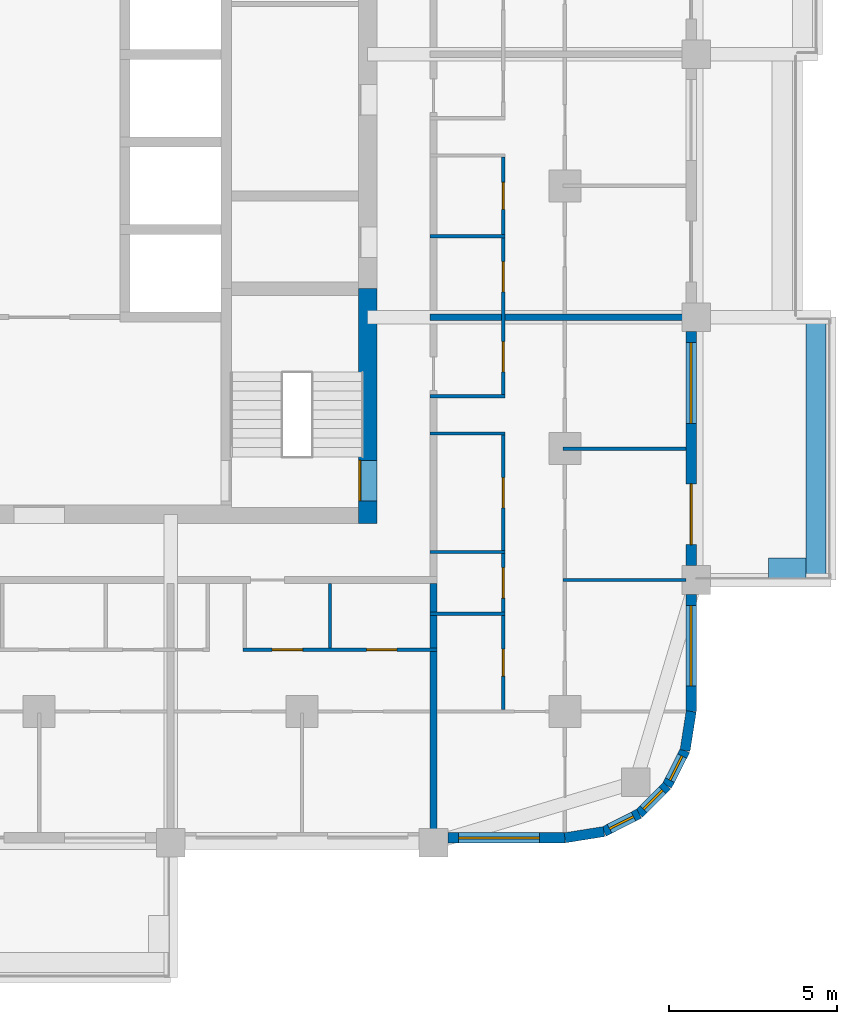
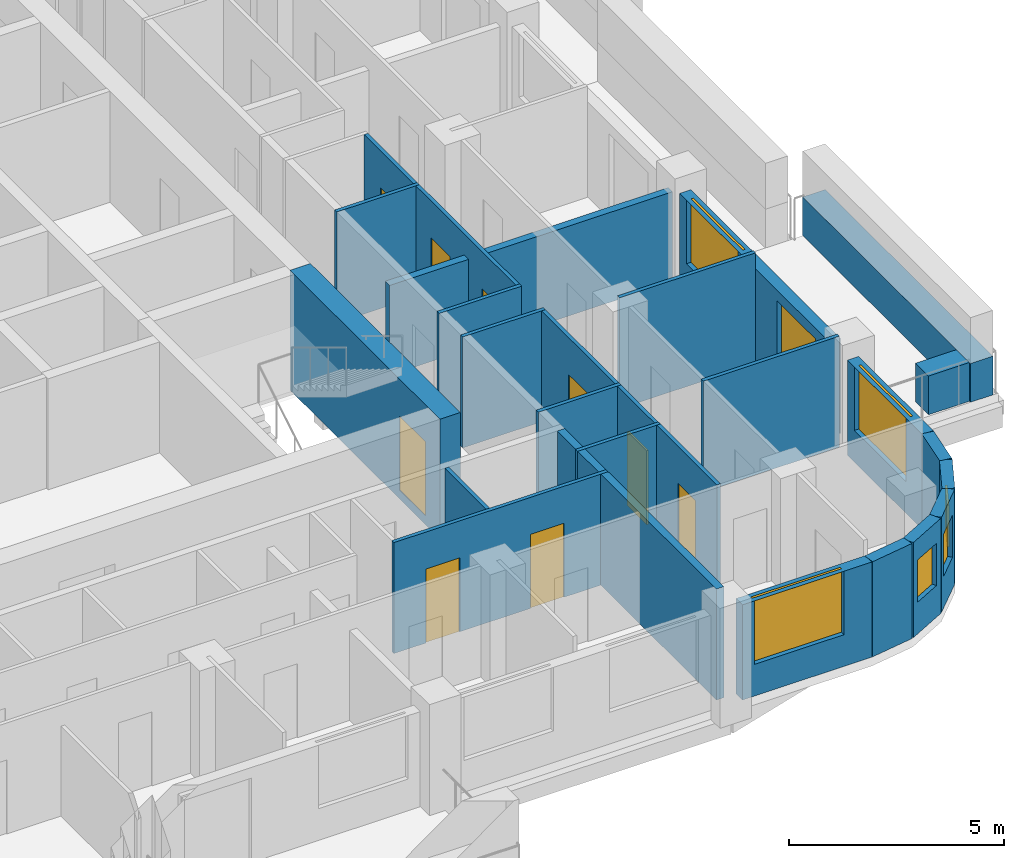
# One storey, part 6 of 14: 24 walls, 10 doors, 6 windows, 16 openings.
"""IFC4 building model written with IfcOpenShell, lengths in metres."""

from ifc_helpers import new_model, si_unit, direction, frame, frame_2d, origin, place, context, subcontext, project, spatial, rectangle, extrude, material, layer, layer_set, type_object, element, fill, save


model = new_model("IFC4")

# Units and contexts
model_context = context("Model", 3, precision=1e-05, world=origin(), true_north=direction((0.0, 1.0)))
body_context = subcontext(model_context, "Body", "Model", "MODEL_VIEW")
ifc_project = project(units=[si_unit("LENGTHUNIT", "METRE"), si_unit("AREAUNIT", "SQUARE_METRE"), si_unit("VOLUMEUNIT", "CUBIC_METRE"), si_unit("PLANEANGLEUNIT", "RADIAN"), si_unit("MASSUNIT", "GRAM", prefix="KILO")], contexts=[model_context])

# Site, building, storey
site_placement = place(None, origin())
site = spatial("IfcSite", under=ifc_project, at=site_placement, CompositionType="ELEMENT")
building_placement = place(site_placement, origin())
building = spatial("IfcBuilding", under=site, at=building_placement, Name="Ludao Terraces", CompositionType="ELEMENT")
storey_placement = place(building_placement, frame((0.0, 0.0, 106.699951171875)))
storey = spatial("IfcBuildingStorey", under=building, at=storey_placement, Name="L29", CompositionType="ELEMENT", Elevation=106.699951171875)

# Wall, opening, door
ifc_material_1 = material(Name="Concrete C60", Category="concrete")
ifc_layer_1 = layer(ifc_material_1, 0.550048828125)
ifc_layer_set_1 = layer_set([ifc_layer_1], Name="Core wall 550 C60")
wall_type_1 = type_object("IfcWallType", Name="Core wall 550 C60", PredefinedType="SOLIDWALL", material=ifc_layer_set_1)
wall_1_placement = place(storey_placement, frame((94.75, 54.97509765625, -0.25), z_axis=(0.0, 0.0, 1.0), x_axis=(0.0, 1.0, 0.0)))
wall_1 = element("IfcWall", 1, at=wall_1_placement, inside=storey, type_object=wall_type_1, Name="Core wall L29 outer-E-S3", PredefinedType="SOLIDWALL", context=body_context, shape_type="SweptSolid", body=[
    extrude(rectangle(XDim=6.974853515625, YDim=0.550048828125, at=frame_2d((3.4873046875, 0.0))), origin(), (0.0, 0.0, 1.0), 3.400146484375),
])
opening_1_placement = place(wall_1_placement, frame((0.675048828125, 0.0, 0.25)))
opening_1 = element("IfcOpeningElement", 2, at=opening_1_placement, cuts=wall_1, Name="Opening R08-034", PredefinedType="OPENING", context=body_context, shape_type="SweptSolid", body=[
    extrude(rectangle(XDim=1.199951171875, YDim=2.10009765625, at=frame_2d((0.60009765625, 1.050048828125))), frame((0.0, 0.28515625, 0.0), z_axis=(0.0, -1.0, 0.0), x_axis=(1.0, 0.0, 0.0)), (0.0, 0.0, 1.0), 0.570068359375),
])
ifc_material_2 = material(Name="Steel Q235", Category="steel")
door_type_1 = type_object("IfcDoorType", Name="INT Stair door 1200", OperationType="DOUBLE_DOOR_SINGLE_SWING", PredefinedType="DOOR", material=ifc_material_2)
door_1_placement = place(opening_1_placement, origin())
door_1 = element("IfcDoor", 3, at=door_1_placement, inside=storey, type_object=door_type_1, Name="DOOR 034", OperationType="DOUBLE_DOOR_SINGLE_SWING", OverallHeight=2.10009765625, OverallWidth=1.199951171875, PredefinedType="DOOR", context=body_context, shape_type="SweptSolid", body=[
    extrude(rectangle(XDim=1.199951171875, YDim=2.10009765625, at=frame_2d((0.60009765625, 1.050048828125))), frame((0.0, 0.26025390625, 0.0), z_axis=(0.0, -1.0, 0.0), x_axis=(1.0, 0.0, 0.0)), (0.0, 0.0, 1.0), 0.050048828125),
])
fill(opening_1, door_1)

# Walls
ifc_material_3 = material(Name="Concrete C40", Category="concrete")
ifc_layer_2 = layer(ifc_material_3, 0.60009765625)
ifc_layer_set_2 = layer_set([ifc_layer_2], Name="ENV Planter trough 600")
wall_type_2 = type_object("IfcWallType", Name="ENV Planter trough 600", PredefinedType="USERDEFINED", material=ifc_layer_set_2)
wall_2_placement = place(storey_placement, frame((108.050048828125, 53.300048828125, 0.0), z_axis=(0.0, 0.0, 1.0), x_axis=(0.0, 1.0, 0.0)))
element("IfcWall", 4, at=wall_2_placement, inside=storey, type_object=wall_type_2, Name="PL-L29-E1", ObjectType="PLANTER", PredefinedType="USERDEFINED", context=body_context, shape_type="SweptSolid", body=[
    extrude(rectangle(XDim=7.800048828125, YDim=0.60009765625, at=frame_2d((3.89990234375, 0.0))), origin(), (0.0, 0.0, 1.0), 1.10009765625),
])
wall_3_placement = place(storey_placement, frame((107.75, 53.64990234375, 0.0), z_axis=(0.0, 0.0, 1.0), x_axis=(-1.0, 0.0, 0.0)))
element("IfcWall", 5, at=wall_3_placement, inside=storey, type_object=wall_type_2, Name="PL-L29-E1-SA", ObjectType="PLANTER", PredefinedType="USERDEFINED", context=body_context, shape_type="SweptSolid", body=[
    extrude(rectangle(XDim=1.10009765625, YDim=0.60009765625, at=frame_2d((0.550048828125, 0.0))), origin(), (0.0, 0.0, 1.0), 1.10009765625),
])

# Wall, opening, window
ifc_material_4 = material(Name="Granite cladding", Category="masonry")
ifc_layer_3 = layer(ifc_material_4, 0.0400390625, Category="stone")
ifc_material_5 = material(Name="Mineral wool")
ifc_layer_4 = layer(ifc_material_5, 0.06005859375)
ifc_layer_5 = layer(ifc_material_3, 0.199951171875, Category="concrete")
ifc_layer_set_3 = layer_set([ifc_layer_3, ifc_layer_4, ifc_layer_5], Name="ENV Stone-clad wall 300")
wall_type_3 = type_object("IfcWallType", Name="ENV Stone-clad wall 300", PredefinedType="SOLIDWALL", material=ifc_layer_set_3)
wall_4_placement = place(storey_placement, frame((97.125, 45.64990234375, 0.0), z_axis=(0.0, 0.0, 1.0), x_axis=(1.0, 0.0, 0.0)))
wall_4 = element("IfcWall", 6, at=wall_4_placement, inside=storey, type_object=wall_type_3, Name="EW-L29-S5", PredefinedType="SOLIDWALL", context=body_context, shape_type="SweptSolid", body=[
    extrude(rectangle(XDim=3.47509765625, YDim=0.300048828125, at=frame_2d((1.737548828125, 0.0))), origin(), (0.0, 0.0, 1.0), 2.699951171875),
])
opening_2_placement = place(wall_4_placement, frame((0.324951171875, 0.0, 0.89990234375)))
opening_2 = element("IfcOpeningElement", 7, at=opening_2_placement, cuts=wall_4, Name="Opening W1", PredefinedType="OPENING", context=body_context, shape_type="SweptSolid", body=[
    extrude(rectangle(XDim=2.39990234375, YDim=1.800048828125, at=frame_2d((1.199951171875, 0.89990234375))), frame((0.0, 0.16015625, 0.0), z_axis=(0.0, -1.0, 0.0), x_axis=(1.0, 0.0, 0.0)), (0.0, 0.0, 1.0), 0.320068359375),
])
ifc_material_6 = material(Name="Clear glass in aluminium frame", Category="aluminium")
ifc_layer_6 = layer(ifc_material_6, 0.06005859375)
ifc_layer_set_4 = layer_set([ifc_layer_6], Name="ENV Window W1 2400x1800")
window_type_1 = type_object("IfcWindowType", Name="ENV Window W1 2400x1800", PartitioningType="DOUBLE_PANEL_VERTICAL", PredefinedType="WINDOW", material=ifc_layer_set_4)
window_1_placement = place(opening_2_placement, origin())
window_1 = element("IfcWindow", 8, at=window_1_placement, inside=storey, type_object=window_type_1, Name="W-L29-S5-1", OverallHeight=1.800048828125, OverallWidth=2.39990234375, PartitioningType="DOUBLE_PANEL_VERTICAL", PredefinedType="WINDOW", context=body_context, shape_type="SweptSolid", body=[
    extrude(rectangle(XDim=2.39990234375, YDim=1.800048828125, at=frame_2d((1.199951171875, 0.89990234375))), frame((0.0, 0.030029296875, 0.0), z_axis=(0.0, -1.0, 0.0), x_axis=(1.0, 0.0, 0.0)), (0.0, 0.0, 1.0), 0.06005859375),
])
fill(opening_2, window_1)

wall_5_placement = place(storey_placement, frame((104.35009765625, 49.39990234375, 0.0), z_axis=(0.0, 0.0, 1.0), x_axis=(0.0, 1.0, 0.0)))
wall_5 = element("IfcWall", 9, at=wall_5_placement, inside=storey, type_object=wall_type_3, Name="EW-L29-E1", PredefinedType="SOLIDWALL", context=body_context, shape_type="SweptSolid", body=[
    extrude(rectangle(XDim=3.47509765625, YDim=0.300048828125, at=frame_2d((1.737548828125, 0.0))), origin(), (0.0, 0.0, 1.0), 2.699951171875),
])
opening_3_placement = place(wall_5_placement, frame((0.75, 0.0, 0.89990234375)))
opening_3 = element("IfcOpeningElement", 10, at=opening_3_placement, cuts=wall_5, Name="Opening W1", PredefinedType="OPENING", context=body_context, shape_type="SweptSolid", body=[
    extrude(rectangle(XDim=2.39990234375, YDim=1.800048828125, at=frame_2d((1.199951171875, 0.89990234375))), frame((0.0, 0.16015625, 0.0), z_axis=(0.0, -1.0, 0.0), x_axis=(1.0, 0.0, 0.0)), (0.0, 0.0, 1.0), 0.320068359375),
])
window_2_placement = place(opening_3_placement, origin())
window_2 = element("IfcWindow", 11, at=window_2_placement, inside=storey, type_object=window_type_1, Name="W-L29-E1-1", OverallHeight=1.800048828125, OverallWidth=2.39990234375, PartitioningType="DOUBLE_PANEL_VERTICAL", PredefinedType="WINDOW", context=body_context, shape_type="SweptSolid", body=[
    extrude(rectangle(XDim=2.39990234375, YDim=1.800048828125, at=frame_2d((1.199951171875, 0.89990234375))), frame((0.0, 0.030029296875, 0.0), z_axis=(0.0, -1.0, 0.0), x_axis=(1.0, 0.0, 0.0)), (0.0, 0.0, 1.0), 0.06005859375),
])
fill(opening_3, window_2)

# Wall, openings, door, window
wall_6_placement = place(storey_placement, frame((104.35009765625, 53.72509765625, 0.0), z_axis=(0.0, 0.0, 1.0), x_axis=(0.0, 1.0, 0.0)))
wall_6 = element("IfcWall", 12, at=wall_6_placement, inside=storey, type_object=wall_type_3, Name="EW-L29-E2", PredefinedType="SOLIDWALL", context=body_context, shape_type="SweptSolid", body=[
    extrude(rectangle(XDim=6.949951171875, YDim=0.300048828125, at=frame_2d((3.47509765625, 0.0))), origin(), (0.0, 0.0, 1.0), 2.699951171875),
])
opening_4_placement = place(wall_6_placement, frame((0.625, 0.0, 0.0)))
opening_4 = element("IfcOpeningElement", 13, at=opening_4_placement, cuts=wall_6, Name="Opening BD", PredefinedType="OPENING", context=body_context, shape_type="SweptSolid", body=[
    extrude(rectangle(XDim=1.800048828125, YDim=2.39990234375, at=frame_2d((0.89990234375, 1.199951171875))), frame((0.0, 0.16015625, 0.0), z_axis=(0.0, -1.0, 0.0), x_axis=(1.0, 0.0, 0.0)), (0.0, 0.0, 1.0), 0.320068359375),
])
opening_5_placement = place(wall_6_placement, frame((4.22509765625, 0.0, 0.89990234375)))
opening_5 = element("IfcOpeningElement", 14, at=opening_5_placement, cuts=wall_6, Name="Opening W1", PredefinedType="OPENING", context=body_context, shape_type="SweptSolid", body=[
    extrude(rectangle(XDim=2.39990234375, YDim=1.800048828125, at=frame_2d((1.199951171875, 0.89990234375))), frame((0.0, 0.16015625, 0.0), z_axis=(0.0, -1.0, 0.0), x_axis=(1.0, 0.0, 0.0)), (0.0, 0.0, 1.0), 0.320068359375),
])
ifc_material_7 = material(Name="Aluminium glazed door", Category="aluminium")
ifc_layer_7 = layer(ifc_material_7, 0.06005859375)
ifc_layer_set_5 = layer_set([ifc_layer_7], Name="ENV Balcony door BD 1800x2400")
door_type_2 = type_object("IfcDoorType", Name="ENV Balcony door BD 1800x2400", OperationType="DOUBLE_DOOR_SINGLE_SWING", PredefinedType="DOOR", material=ifc_layer_set_5)
door_2_placement = place(opening_4_placement, origin())
door_2 = element("IfcDoor", 15, at=door_2_placement, inside=storey, type_object=door_type_2, Name="BD-L29-E2-1", OperationType="DOUBLE_DOOR_SINGLE_SWING", OverallHeight=2.39990234375, OverallWidth=1.800048828125, PredefinedType="DOOR", context=body_context, shape_type="SweptSolid", body=[
    extrude(rectangle(XDim=1.800048828125, YDim=2.39990234375, at=frame_2d((0.89990234375, 1.199951171875))), frame((0.0, 0.02490234375, 0.0), z_axis=(0.0, -1.0, 0.0), x_axis=(1.0, 0.0, 0.0)), (0.0, 0.0, 1.0), 0.050048828125),
])
fill(opening_4, door_2)
window_3_placement = place(opening_5_placement, origin())
window_3 = element("IfcWindow", 16, at=window_3_placement, inside=storey, type_object=window_type_1, Name="W-L29-E2-2", OverallHeight=1.800048828125, OverallWidth=2.39990234375, PartitioningType="DOUBLE_PANEL_VERTICAL", PredefinedType="WINDOW", context=body_context, shape_type="SweptSolid", body=[
    extrude(rectangle(XDim=2.39990234375, YDim=1.800048828125, at=frame_2d((1.199951171875, 0.89990234375))), frame((0.0, 0.030029296875, 0.0), z_axis=(0.0, -1.0, 0.0), x_axis=(1.0, 0.0, 0.0)), (0.0, 0.0, 1.0), 0.06005859375),
])
fill(opening_5, window_3)

# Wall
wall_7_placement = place(storey_placement, frame((100.60009765625, 45.64990234375, 0.0), z_axis=(0.0, 0.0, 1.0), x_axis=(0.987678452879, 0.156496880861, 0.0)))
element("IfcWall", 17, at=wall_7_placement, inside=storey, type_object=wall_type_3, Name="EW-L29-SE1", PredefinedType="SOLIDWALL", context=body_context, shape_type="SweptSolid", body=[
    extrude(rectangle(XDim=1.173095703125, YDim=0.300048828125, at=frame_2d((0.58642578125, 0.0))), origin(), (0.0, 0.0, 1.0), 2.699951171875),
])

# Wall, opening, window
wall_8_placement = place(storey_placement, frame((101.7587890625, 45.83349609375, 0.0), z_axis=(0.0, 0.0, 1.0), x_axis=(0.890988677504, 0.454025524128, 0.0)))
wall_8 = element("IfcWall", 18, at=wall_8_placement, inside=storey, type_object=wall_type_3, Name="EW-L29-SE2", PredefinedType="SOLIDWALL", context=body_context, shape_type="SweptSolid", body=[
    extrude(rectangle(XDim=1.17333984375, YDim=0.300048828125, at=frame_2d((0.586669921875, 0.0))), origin(), (0.0, 0.0, 1.0), 2.699951171875),
])
opening_6_placement = place(wall_8_placement, frame((0.1865234375, 0.0, 0.89990234375)))
opening_6 = element("IfcOpeningElement", 19, at=opening_6_placement, cuts=wall_8, Name="Opening W3", PredefinedType="OPENING", context=body_context, shape_type="SweptSolid", body=[
    extrude(rectangle(XDim=0.800048828125, YDim=1.199951171875, at=frame_2d((0.39990234375, 0.60009765625))), frame((0.0, 0.16015625, 0.0), z_axis=(0.0, -1.0, 0.0), x_axis=(1.0, 0.0, 0.0)), (0.0, 0.0, 1.0), 0.320068359375),
])
ifc_layer_8 = layer(ifc_material_6, 0.06005859375)
ifc_layer_set_6 = layer_set([ifc_layer_8], Name="ENV Window W3 800x1200")
window_type_2 = type_object("IfcWindowType", Name="ENV Window W3 800x1200", PartitioningType="SINGLE_PANEL", PredefinedType="WINDOW", material=ifc_layer_set_6)
window_4_placement = place(opening_6_placement, origin())
window_4 = element("IfcWindow", 20, at=window_4_placement, inside=storey, type_object=window_type_2, Name="W-L29-SE2", OverallHeight=1.199951171875, OverallWidth=0.800048828125, PartitioningType="SINGLE_PANEL", PredefinedType="WINDOW", context=body_context, shape_type="SweptSolid", body=[
    extrude(rectangle(XDim=0.800048828125, YDim=1.199951171875, at=frame_2d((0.39990234375, 0.60009765625))), frame((0.0, 0.030029296875, 0.0), z_axis=(0.0, -1.0, 0.0), x_axis=(1.0, 0.0, 0.0)), (0.0, 0.0, 1.0), 0.06005859375),
])
fill(opening_6, window_4)

wall_9_placement = place(storey_placement, frame((102.80419921875, 46.3662109375, 0.0), z_axis=(0.0, 0.0, 1.0), x_axis=(0.707106781187, 0.707106781187, 0.0)))
wall_9 = element("IfcWall", 21, at=wall_9_placement, inside=storey, type_object=wall_type_3, Name="EW-L29-SE3", PredefinedType="SOLIDWALL", context=body_context, shape_type="SweptSolid", body=[
    extrude(rectangle(XDim=1.173095703125, YDim=0.300048828125, at=frame_2d((0.58642578125, 0.0))), origin(), (0.0, 0.0, 1.0), 2.699951171875),
])
opening_7_placement = place(wall_9_placement, frame((0.1865234375, 0.0, 0.89990234375)))
opening_7 = element("IfcOpeningElement", 22, at=opening_7_placement, cuts=wall_9, Name="Opening W3", PredefinedType="OPENING", context=body_context, shape_type="SweptSolid", body=[
    extrude(rectangle(XDim=0.800048828125, YDim=1.199951171875, at=frame_2d((0.39990234375, 0.60009765625))), frame((0.0, 0.16015625, 0.0), z_axis=(0.0, -1.0, 0.0), x_axis=(1.0, 0.0, 0.0)), (0.0, 0.0, 1.0), 0.320068359375),
])
window_5_placement = place(opening_7_placement, origin())
window_5 = element("IfcWindow", 23, at=window_5_placement, inside=storey, type_object=window_type_2, Name="W-L29-SE3", OverallHeight=1.199951171875, OverallWidth=0.800048828125, PartitioningType="SINGLE_PANEL", PredefinedType="WINDOW", context=body_context, shape_type="SweptSolid", body=[
    extrude(rectangle(XDim=0.800048828125, YDim=1.199951171875, at=frame_2d((0.39990234375, 0.60009765625))), frame((0.0, 0.030029296875, 0.0), z_axis=(0.0, -1.0, 0.0), x_axis=(1.0, 0.0, 0.0)), (0.0, 0.0, 1.0), 0.06005859375),
])
fill(opening_7, window_5)

wall_10_placement = place(storey_placement, frame((103.6337890625, 47.19580078125, 0.0), z_axis=(0.0, 0.0, 1.0), x_axis=(0.454025524128, 0.890988677504, 0.0)))
wall_10 = element("IfcWall", 24, at=wall_10_placement, inside=storey, type_object=wall_type_3, Name="EW-L29-SE4", PredefinedType="SOLIDWALL", context=body_context, shape_type="SweptSolid", body=[
    extrude(rectangle(XDim=1.17333984375, YDim=0.300048828125, at=frame_2d((0.586669921875, 0.0))), origin(), (0.0, 0.0, 1.0), 2.699951171875),
])
opening_8_placement = place(wall_10_placement, frame((0.1865234375, 0.0, 0.89990234375)))
opening_8 = element("IfcOpeningElement", 25, at=opening_8_placement, cuts=wall_10, Name="Opening W3", PredefinedType="OPENING", context=body_context, shape_type="SweptSolid", body=[
    extrude(rectangle(XDim=0.800048828125, YDim=1.199951171875, at=frame_2d((0.39990234375, 0.60009765625))), frame((0.0, 0.16015625, 0.0), z_axis=(0.0, -1.0, 0.0), x_axis=(1.0, 0.0, 0.0)), (0.0, 0.0, 1.0), 0.320068359375),
])
window_6_placement = place(opening_8_placement, origin())
window_6 = element("IfcWindow", 26, at=window_6_placement, inside=storey, type_object=window_type_2, Name="W-L29-SE4", OverallHeight=1.199951171875, OverallWidth=0.800048828125, PartitioningType="SINGLE_PANEL", PredefinedType="WINDOW", context=body_context, shape_type="SweptSolid", body=[
    extrude(rectangle(XDim=0.800048828125, YDim=1.199951171875, at=frame_2d((0.39990234375, 0.60009765625))), frame((0.0, 0.030029296875, 0.0), z_axis=(0.0, -1.0, 0.0), x_axis=(1.0, 0.0, 0.0)), (0.0, 0.0, 1.0), 0.06005859375),
])
fill(opening_8, window_6)

# Wall
wall_11_placement = place(storey_placement, frame((104.16650390625, 48.2412109375, 0.0), z_axis=(0.0, 0.0, 1.0), x_axis=(0.156496880861, 0.987678452879, 0.0)))
element("IfcWall", 27, at=wall_11_placement, inside=storey, type_object=wall_type_3, Name="EW-L29-SE5", PredefinedType="SOLIDWALL", context=body_context, shape_type="SweptSolid", body=[
    extrude(rectangle(XDim=1.173095703125, YDim=0.300048828125, at=frame_2d((0.58642578125, 0.0))), origin(), (0.0, 0.0, 1.0), 2.699951171875),
])

# Wall, openings, doors
ifc_material_8 = material(Name="Gypsum plasterboard", Category="gypsum")
ifc_layer_9 = layer(ifc_material_8, 0.012451171875, Category="gypsum")
ifc_layer_10 = layer(ifc_material_5, 0.06005859375, Name="insulation")
ifc_layer_11 = layer(ifc_material_2, 0.014892578125, Name="stud")
ifc_layer_12 = layer(ifc_material_8, 0.012451171875, Category="gypsum")
ifc_layer_set_7 = layer_set([ifc_layer_9, ifc_layer_10, ifc_layer_11, ifc_layer_12], Name="INT Partition 100")
wall_type_4 = type_object("IfcWallType", Name="INT Partition 100", PredefinedType="PARTITIONING", material=ifc_layer_set_7)
wall_12_placement = place(storey_placement, frame((91.050048828125, 51.22998046875, 0.0), z_axis=(0.0, 0.0, 1.0), x_axis=(1.0, 0.0, 0.0)))
wall_12 = element("IfcWall", 28, at=wall_12_placement, inside=storey, type_object=wall_type_4, Name="PW-L29-PW003", PredefinedType="PARTITIONING", context=body_context, shape_type="SweptSolid", body=[
    extrude(rectangle(XDim=5.75, YDim=0.10009765625, at=frame_2d((2.875, 0.0))), origin(), (0.0, 0.0, 1.0), 3.150146484375),
])
opening_9_placement = place(wall_12_placement, frame((0.864990234375, 0.0, 0.0)))
opening_9 = element("IfcOpeningElement", 29, at=opening_9_placement, cuts=wall_12, Name="Opening R08-020", PredefinedType="OPENING", context=body_context, shape_type="SweptSolid", body=[
    extrude(rectangle(XDim=0.89990234375, YDim=2.10009765625, at=frame_2d((0.449951171875, 1.050048828125))), frame((0.0, 0.06005859375, 0.0), z_axis=(0.0, -1.0, 0.0), x_axis=(1.0, 0.0, 0.0)), (0.0, 0.0, 1.0), 0.1201171875),
])
opening_10_placement = place(wall_12_placement, frame((3.6650390625, 0.0, 0.0)))
opening_10 = element("IfcOpeningElement", 30, at=opening_10_placement, cuts=wall_12, Name="Opening R08-021", PredefinedType="OPENING", context=body_context, shape_type="SweptSolid", body=[
    extrude(rectangle(XDim=0.89990234375, YDim=2.10009765625, at=frame_2d((0.449951171875, 1.050048828125))), frame((0.0, 0.06005859375, 0.0), z_axis=(0.0, -1.0, 0.0), x_axis=(1.0, 0.0, 0.0)), (0.0, 0.0, 1.0), 0.1201171875),
])
ifc_material_9 = material(Name="Timber door leaf", Category="wood")
door_type_3 = type_object("IfcDoorType", Name="INT Bathroom door 900", OperationType="SINGLE_SWING_LEFT", PredefinedType="DOOR", material=ifc_material_9)
door_3_placement = place(opening_9_placement, origin())
door_3 = element("IfcDoor", 31, at=door_3_placement, inside=storey, type_object=door_type_3, Name="DOOR 020", OperationType="SINGLE_SWING_LEFT", OverallHeight=2.10009765625, OverallWidth=0.89990234375, PredefinedType="DOOR", context=body_context, shape_type="SweptSolid", body=[
    extrude(rectangle(XDim=0.89990234375, YDim=2.10009765625, at=frame_2d((0.449951171875, 1.050048828125))), frame((0.0, 0.02490234375, 0.0), z_axis=(0.0, -1.0, 0.0), x_axis=(1.0, 0.0, 0.0)), (0.0, 0.0, 1.0), 0.050048828125),
])
fill(opening_9, door_3)
door_type_4 = type_object("IfcDoorType", Name="INT Room door 900", OperationType="SINGLE_SWING_LEFT", PredefinedType="DOOR", material=ifc_material_9)
door_4_placement = place(opening_10_placement, origin())
door_4 = element("IfcDoor", 32, at=door_4_placement, inside=storey, type_object=door_type_4, Name="DOOR 021", OperationType="SINGLE_SWING_RIGHT", OverallHeight=2.10009765625, OverallWidth=0.89990234375, PredefinedType="DOOR", context=body_context, shape_type="SweptSolid", body=[
    extrude(rectangle(XDim=0.89990234375, YDim=2.10009765625, at=frame_2d((0.449951171875, 1.050048828125))), frame((0.0, 0.02490234375, 0.0), z_axis=(0.0, -1.0, 0.0), x_axis=(1.0, 0.0, 0.0)), (0.0, 0.0, 1.0), 0.050048828125),
])
fill(opening_10, door_4)

# Walls
wall_13_placement = place(storey_placement, frame((96.60009765625, 52.300048828125, 0.0), z_axis=(0.0, 0.0, 1.0), x_axis=(1.0, 0.0, 0.0)))
element("IfcWall", 33, at=wall_13_placement, inside=storey, type_object=wall_type_4, Name="PW-L29-PW005", PredefinedType="PARTITIONING", context=body_context, shape_type="SweptSolid", body=[
    extrude(rectangle(XDim=2.219970703125, YDim=0.10009765625, at=frame_2d((1.10986328125, 0.0))), origin(), (0.0, 0.0, 1.0), 3.150146484375),
])
wall_14_placement = place(storey_placement, frame((100.550048828125, 53.300048828125, 0.0), z_axis=(0.0, 0.0, 1.0), x_axis=(1.0, 0.0, 0.0)))
element("IfcWall", 34, at=wall_14_placement, inside=storey, type_object=wall_type_4, Name="PW-L29-PW008", PredefinedType="PARTITIONING", context=body_context, shape_type="SweptSolid", body=[
    extrude(rectangle(XDim=3.650146484375, YDim=0.10009765625, at=frame_2d((1.8251953125, 0.0))), origin(), (0.0, 0.0, 1.0), 3.150146484375),
])
wall_15_placement = place(storey_placement, frame((96.60009765625, 54.1298828125, 0.0), z_axis=(0.0, 0.0, 1.0), x_axis=(1.0, 0.0, 0.0)))
element("IfcWall", 35, at=wall_15_placement, inside=storey, type_object=wall_type_4, Name="PW-L29-PW010", PredefinedType="PARTITIONING", context=body_context, shape_type="SweptSolid", body=[
    extrude(rectangle(XDim=2.219970703125, YDim=0.10009765625, at=frame_2d((1.10986328125, 0.0))), origin(), (0.0, 0.0, 1.0), 3.150146484375),
])
wall_16_placement = place(storey_placement, frame((100.550048828125, 57.199951171875, 0.0), z_axis=(0.0, 0.0, 1.0), x_axis=(1.0, 0.0, 0.0)))
element("IfcWall", 36, at=wall_16_placement, inside=storey, type_object=wall_type_4, Name="PW-L29-PW013", PredefinedType="PARTITIONING", context=body_context, shape_type="SweptSolid", body=[
    extrude(rectangle(XDim=3.650146484375, YDim=0.10009765625, at=frame_2d((1.8251953125, 0.0))), origin(), (0.0, 0.0, 1.0), 3.150146484375),
])
for number, where, z_axis, x_axis, name in (
    (37, (96.60009765625, 57.64990234375, 0.0), (0.0, 0.0, 1.0), (1.0, 0.0, 0.0), "PW-L29-PW014"),
    (38, (96.60009765625, 58.75, 0.0), (0.0, 0.0, 1.0), (1.0, 0.0, 0.0), "PW-L29-PW016"),
    (39, (96.60009765625, 63.5, 0.0), (0.0, 0.0, 1.0), (1.0, 0.0, 0.0), "PW-L29-PW022"),
):
    element("IfcWall", number, at=place(storey_placement, frame(where, z_axis=z_axis, x_axis=x_axis)), inside=storey, type_object=wall_type_4, Name=name, PredefinedType="PARTITIONING", context=body_context, shape_type="SweptSolid", body=[
        extrude(rectangle(XDim=2.219970703125, YDim=0.10009765625, at=frame_2d((1.10986328125, 0.0))), origin(), (0.0, 0.0, 1.0), 3.150146484375),
    ])
wall_17_placement = place(storey_placement, frame((93.6298828125, 51.280029296875, 0.0), z_axis=(0.0, 0.0, 1.0), x_axis=(0.0, 1.0, 0.0)))
element("IfcWall", 40, at=wall_17_placement, inside=storey, type_object=wall_type_4, Name="PW-L29-PW070", PredefinedType="PARTITIONING", context=body_context, shape_type="SweptSolid", body=[
    extrude(rectangle(XDim=1.920166015625, YDim=0.10009765625, at=frame_2d((0.9599609375, 0.0))), origin(), (0.0, 0.0, 1.0), 3.150146484375),
])

# Wall, openings, doors
wall_18_placement = place(storey_placement, frame((98.77001953125, 49.4501953125, 0.0), z_axis=(0.0, 0.0, 1.0), x_axis=(0.0, 1.0, 0.0)))
wall_18 = element("IfcWall", 41, at=wall_18_placement, inside=storey, type_object=wall_type_4, Name="PW-L29-PW073", PredefinedType="PARTITIONING", context=body_context, shape_type="SweptSolid", body=[
    extrude(rectangle(XDim=8.14990234375, YDim=0.10009765625, at=frame_2d((4.074951171875, 0.0))), origin(), (0.0, 0.0, 1.0), 3.150146484375),
])
opening_11_placement = place(wall_18_placement, frame((1.0, 0.0, 0.0)))
opening_11 = element("IfcOpeningElement", 42, at=opening_11_placement, cuts=wall_18, Name="Opening R08-012", PredefinedType="OPENING", context=body_context, shape_type="SweptSolid", body=[
    extrude(rectangle(XDim=0.800048828125, YDim=2.10009765625, at=frame_2d((0.39990234375, 1.050048828125))), frame((0.0, 0.06005859375, 0.0), z_axis=(0.0, -1.0, 0.0), x_axis=(1.0, 0.0, 0.0)), (0.0, 0.0, 1.0), 0.1201171875),
])
opening_12_placement = place(wall_18_placement, frame((3.31494140625, 0.0, 0.0)))
opening_12 = element("IfcOpeningElement", 43, at=opening_12_placement, cuts=wall_18, Name="Opening R08-025", PredefinedType="OPENING", context=body_context, shape_type="SweptSolid", body=[
    extrude(rectangle(XDim=0.89990234375, YDim=2.10009765625, at=frame_2d((0.449951171875, 1.050048828125))), frame((0.0, 0.06005859375, 0.0), z_axis=(0.0, -1.0, 0.0), x_axis=(1.0, 0.0, 0.0)), (0.0, 0.0, 1.0), 0.1201171875),
])
opening_13_placement = place(wall_18_placement, frame((5.989990234375, 0.0, 0.0)))
opening_13 = element("IfcOpeningElement", 44, at=opening_13_placement, cuts=wall_18, Name="Opening R08-032", PredefinedType="OPENING", context=body_context, shape_type="SweptSolid", body=[
    extrude(rectangle(XDim=0.89990234375, YDim=2.10009765625, at=frame_2d((0.449951171875, 1.050048828125))), frame((0.0, 0.06005859375, 0.0), z_axis=(0.0, -1.0, 0.0), x_axis=(1.0, 0.0, 0.0)), (0.0, 0.0, 1.0), 0.1201171875),
])
door_5_placement = place(opening_12_placement, origin())
door_5 = element("IfcDoor", 45, at=door_5_placement, inside=storey, type_object=door_type_3, Name="DOOR 025", OperationType="SINGLE_SWING_LEFT", OverallHeight=2.10009765625, OverallWidth=0.89990234375, PredefinedType="DOOR", context=body_context, shape_type="SweptSolid", body=[
    extrude(rectangle(XDim=0.89990234375, YDim=2.10009765625, at=frame_2d((0.449951171875, 1.050048828125))), frame((0.0, 0.02490234375, 0.0), z_axis=(0.0, -1.0, 0.0), x_axis=(1.0, 0.0, 0.0)), (0.0, 0.0, 1.0), 0.050048828125),
])
fill(opening_12, door_5)
door_6_placement = place(opening_13_placement, origin())
door_6 = element("IfcDoor", 46, at=door_6_placement, inside=storey, type_object=door_type_4, Name="DOOR 032", OperationType="SINGLE_SWING_LEFT", OverallHeight=2.10009765625, OverallWidth=0.89990234375, PredefinedType="DOOR", context=body_context, shape_type="SweptSolid", body=[
    extrude(rectangle(XDim=0.89990234375, YDim=2.10009765625, at=frame_2d((0.449951171875, 1.050048828125))), frame((0.0, 0.02490234375, 0.0), z_axis=(0.0, -1.0, 0.0), x_axis=(1.0, 0.0, 0.0)), (0.0, 0.0, 1.0), 0.050048828125),
])
fill(opening_13, door_6)
door_type_5 = type_object("IfcDoorType", Name="INT Store door 800", OperationType="SINGLE_SWING_LEFT", PredefinedType="DOOR", material=ifc_material_9)
door_7_placement = place(opening_11_placement, origin())
door_7 = element("IfcDoor", 47, at=door_7_placement, inside=storey, type_object=door_type_5, Name="DOOR 012", OperationType="SINGLE_SWING_RIGHT", OverallHeight=2.10009765625, OverallWidth=0.800048828125, PredefinedType="DOOR", context=body_context, shape_type="SweptSolid", body=[
    extrude(rectangle(XDim=0.800048828125, YDim=2.10009765625, at=frame_2d((0.39990234375, 1.050048828125))), frame((0.0, 0.02490234375, 0.0), z_axis=(0.0, -1.0, 0.0), x_axis=(1.0, 0.0, 0.0)), (0.0, 0.0, 1.0), 0.050048828125),
])
fill(opening_11, door_7)

wall_19_placement = place(storey_placement, frame((98.77001953125, 58.800048828125, 0.0), z_axis=(0.0, 0.0, 1.0), x_axis=(0.0, 1.0, 0.0)))
wall_19 = element("IfcWall", 48, at=wall_19_placement, inside=storey, type_object=wall_type_4, Name="PW-L29-PW074", PredefinedType="PARTITIONING", context=body_context, shape_type="SweptSolid", body=[
    extrude(rectangle(XDim=7.050048828125, YDim=0.10009765625, at=frame_2d((3.52490234375, 0.0))), origin(), (0.0, 0.0, 1.0), 3.150146484375),
])
opening_14_placement = place(wall_19_placement, frame((0.675048828125, 0.0, 0.0)))
opening_14 = element("IfcOpeningElement", 49, at=opening_14_placement, cuts=wall_19, Name="Opening R08-040", PredefinedType="OPENING", context=body_context, shape_type="SweptSolid", body=[
    extrude(rectangle(XDim=0.89990234375, YDim=2.10009765625, at=frame_2d((0.449951171875, 1.050048828125))), frame((0.0, 0.06005859375, 0.0), z_axis=(0.0, -1.0, 0.0), x_axis=(1.0, 0.0, 0.0)), (0.0, 0.0, 1.0), 0.1201171875),
])
opening_15_placement = place(wall_19_placement, frame((3.050048828125, 0.0, 0.0)))
opening_15 = element("IfcOpeningElement", 50, at=opening_15_placement, cuts=wall_19, Name="Opening R08-044", PredefinedType="OPENING", context=body_context, shape_type="SweptSolid", body=[
    extrude(rectangle(XDim=0.89990234375, YDim=2.10009765625, at=frame_2d((0.449951171875, 1.050048828125))), frame((0.0, 0.06005859375, 0.0), z_axis=(0.0, -1.0, 0.0), x_axis=(1.0, 0.0, 0.0)), (0.0, 0.0, 1.0), 0.1201171875),
])
opening_16_placement = place(wall_19_placement, frame((5.5, 0.0, 0.0)))
opening_16 = element("IfcOpeningElement", 51, at=opening_16_placement, cuts=wall_19, Name="Opening R08-051", PredefinedType="OPENING", context=body_context, shape_type="SweptSolid", body=[
    extrude(rectangle(XDim=0.800048828125, YDim=2.10009765625, at=frame_2d((0.39990234375, 1.050048828125))), frame((0.0, 0.06005859375, 0.0), z_axis=(0.0, -1.0, 0.0), x_axis=(1.0, 0.0, 0.0)), (0.0, 0.0, 1.0), 0.1201171875),
])
door_8_placement = place(opening_14_placement, origin())
door_8 = element("IfcDoor", 52, at=door_8_placement, inside=storey, type_object=door_type_3, Name="DOOR 040", OperationType="SINGLE_SWING_RIGHT", OverallHeight=2.10009765625, OverallWidth=0.89990234375, PredefinedType="DOOR", context=body_context, shape_type="SweptSolid", body=[
    extrude(rectangle(XDim=0.89990234375, YDim=2.10009765625, at=frame_2d((0.449951171875, 1.050048828125))), frame((0.0, 0.02490234375, 0.0), z_axis=(0.0, -1.0, 0.0), x_axis=(1.0, 0.0, 0.0)), (0.0, 0.0, 1.0), 0.050048828125),
])
fill(opening_14, door_8)
door_9_placement = place(opening_15_placement, origin())
door_9 = element("IfcDoor", 53, at=door_9_placement, inside=storey, type_object=door_type_3, Name="DOOR 044", OperationType="SINGLE_SWING_LEFT", OverallHeight=2.10009765625, OverallWidth=0.89990234375, PredefinedType="DOOR", context=body_context, shape_type="SweptSolid", body=[
    extrude(rectangle(XDim=0.89990234375, YDim=2.10009765625, at=frame_2d((0.449951171875, 1.050048828125))), frame((0.0, 0.02490234375, 0.0), z_axis=(0.0, -1.0, 0.0), x_axis=(1.0, 0.0, 0.0)), (0.0, 0.0, 1.0), 0.050048828125),
])
fill(opening_15, door_9)
door_10_placement = place(opening_16_placement, origin())
door_10 = element("IfcDoor", 54, at=door_10_placement, inside=storey, type_object=door_type_5, Name="DOOR 051", OperationType="SINGLE_SWING_RIGHT", OverallHeight=2.10009765625, OverallWidth=0.800048828125, PredefinedType="DOOR", context=body_context, shape_type="SweptSolid", body=[
    extrude(rectangle(XDim=0.800048828125, YDim=2.10009765625, at=frame_2d((0.39990234375, 1.050048828125))), frame((0.0, 0.02490234375, 0.0), z_axis=(0.0, -1.0, 0.0), x_axis=(1.0, 0.0, 0.0)), (0.0, 0.0, 1.0), 0.050048828125),
])
fill(opening_16, door_10)

# Walls
ifc_material_10 = material(Name="Autoclaved aerated concrete block B06 A3.5", Category="concrete")
ifc_layer_13 = layer(ifc_material_10, 0.199951171875)
ifc_layer_set_8 = layer_set([ifc_layer_13], Name="INT Party wall 200")
wall_type_5 = type_object("IfcWallType", Name="INT Party wall 200", PredefinedType="PARTITIONING", material=ifc_layer_set_8)
wall_20_placement = place(storey_placement, frame((96.60009765625, 61.10009765625, 0.0), z_axis=(0.0, 0.0, 1.0), x_axis=(1.0, 0.0, 0.0)))
element("IfcWall", 55, at=wall_20_placement, inside=storey, type_object=wall_type_5, Name="PW-L29-PW020", PredefinedType="PARTITIONING", context=body_context, shape_type="SweptSolid", body=[
    extrude(rectangle(XDim=7.60009765625, YDim=0.199951171875, at=frame_2d((3.800048828125, 0.0))), origin(), (0.0, 0.0, 1.0), 2.550048828125),
])
wall_21_placement = place(storey_placement, frame((96.699951171875, 45.800048828125, 0.0), z_axis=(0.0, 0.0, 1.0), x_axis=(0.0, 1.0, 0.0)))
element("IfcWall", 56, at=wall_21_placement, inside=storey, type_object=wall_type_5, Name="PW-L29-PW071", PredefinedType="PARTITIONING", context=body_context, shape_type="SweptSolid", body=[
    extrude(rectangle(XDim=7.400146484375, YDim=0.199951171875, at=frame_2d((3.7001953125, 0.0))), origin(), (0.0, 0.0, 1.0), 3.150146484375),
])

save(model, "model.ifc")
